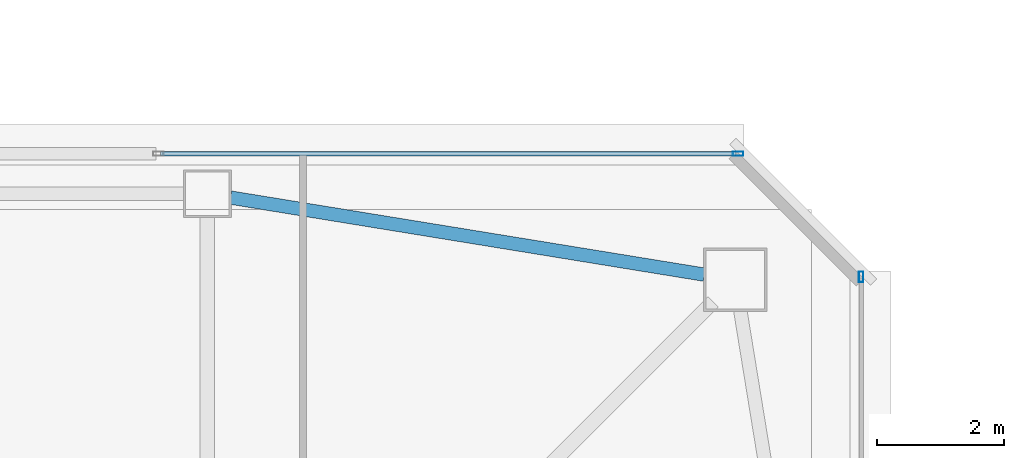
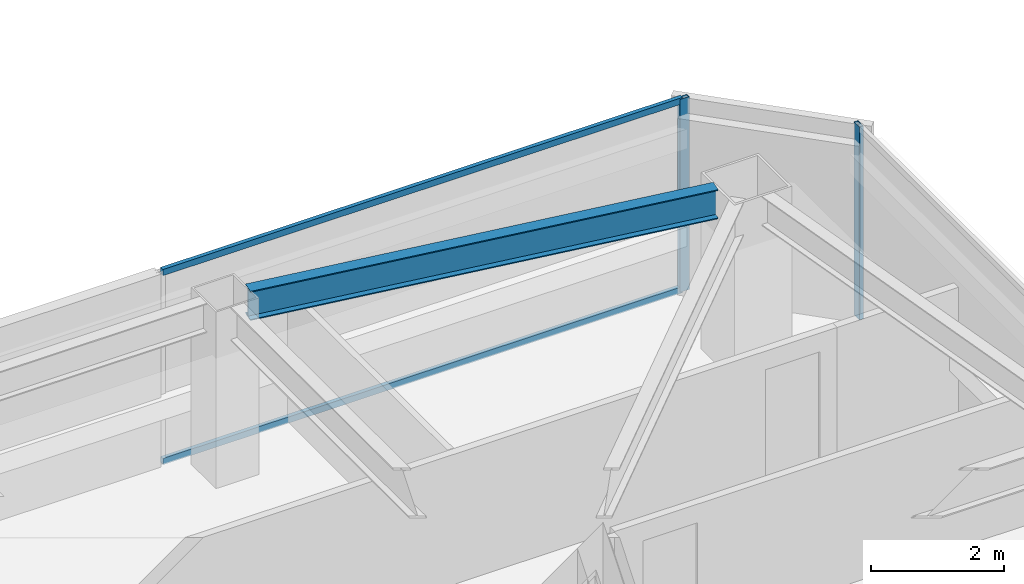
# One storey, part 15 of 39: 4 members, 1 beam, 2 elements without a shape of their own.
"""IFC4 building model written with IfcOpenShell, lengths in metres."""

from ifc_helpers import new_model, si_unit, direction, frame, origin, origin_2d, place, context, subcontext, project, spatial, hollow_rectangle, i_section, extrude, material, material_profile, profile_set, type_object, element, aggregate, save


model = new_model("IFC4")

# Units and contexts
model_context = context("Model", 3, precision=1e-05, world=origin(), true_north=direction((0.0, 1.0)))
body_context = subcontext(model_context, "Body", "Model", "MODEL_VIEW")
ifc_project = project(units=[si_unit("LENGTHUNIT", "METRE"), si_unit("AREAUNIT", "SQUARE_METRE"), si_unit("VOLUMEUNIT", "CUBIC_METRE"), si_unit("PLANEANGLEUNIT", "RADIAN"), si_unit("MASSUNIT", "GRAM", prefix="KILO")], contexts=[model_context])

# Site, building, storey
site_placement = place(None, origin())
site = spatial("IfcSite", under=ifc_project, at=site_placement, CompositionType="ELEMENT")
building_placement = place(site_placement, origin())
building = spatial("IfcBuilding", under=site, at=building_placement, Name="Tashvorn Skyway Center", CompositionType="ELEMENT")
storey_placement = place(building_placement, frame((0.0, 0.0, 243.25)))
storey = spatial("IfcBuildingStorey", under=building, at=storey_placement, Name="L66", CompositionType="ELEMENT", Elevation=243.25)

# Beam
ifc_material_1 = material(Name="Steel ASTM A992 Grade 50", Category="steel")
ifc_material_profile_1 = material_profile(ifc_material_1, i_section(OverallWidth=0.2109375, OverallDepth=0.5390625, WebThickness=0.01171875, FlangeThickness=0.018798828125, at=origin_2d()), Name="W21X73")
ifc_profile_set_1 = profile_set([ifc_material_profile_1], Name="Steel ASTM A992 Grade 50")
beam_type = type_object("IfcBeamType", Name="BM-SPANDREL-W21X73", PredefinedType="SPANDREL", material=ifc_profile_set_1)
beam_placement = place(storey_placement, frame((55.21142578125, 45.779541015625, 2.98046875), z_axis=(-0.987033514444, 0.160514302677, 0.0), x_axis=(-0.160514302677, -0.987033514444, 0.0)))
element("IfcBeam", 1, at=beam_placement, inside=storey, type_object=beam_type, Name="Tower 1 L66 Spandrel Beam 07", PredefinedType="SPANDREL", context=body_context, shape_type="SweptSolid", body=[
    extrude(i_section(OverallWidth=0.2109375, OverallDepth=0.5390625, WebThickness=0.01171875, FlangeThickness=0.018798828125, at=origin_2d()), origin(), (0.0, 0.0, 1.0), 7.544189453125),
])

# Curtain wall, member
ifc_material_2 = material(Name="Thermally broken bronze-anodized aluminium 6063-T6", Category="aluminium")
curtain_wall_type = type_object("IfcCurtainWallType", Name="CW-CW-Z5", PredefinedType="NOTDEFINED", material=ifc_material_2)
curtain_wall_1_placement = place(storey_placement, origin())
curtain_wall_1 = element("IfcCurtainWall", 2, at=curtain_wall_1_placement, inside=storey, type_object=curtain_wall_type, Name="Tower 1 L66 North Unitised Curtain Wall Glazing Group 2", PredefinedType="NOTDEFINED")
ifc_material_profile_2 = material_profile(ifc_material_2, hollow_rectangle(XDim=0.070068359375, YDim=0.1650390625, WallThickness=0.00390625, at=origin_2d()), Name="ALU-MULL-70x165")
ifc_profile_set_2 = profile_set([ifc_material_profile_2], Name="Thermally broken bronze-anodized aluminium 6063-T6")
member_type_1 = type_object("IfcMemberType", Name="CWM-CW-Z5", PredefinedType="MULLION", material=ifc_profile_set_2)
member_1_placement = place(storey_placement, frame((55.7451171875, 47.679931640625, 0.0), z_axis=(0.0, 0.0, 1.0), x_axis=(0.0, 1.0, 0.0)))
member_1 = element("IfcMember", 3, at=member_1_placement, type_object=member_type_1, Name="CW-Z5 mullion 2", PredefinedType="MULLION", context=body_context, shape_type="SweptSolid", body=[
    extrude(hollow_rectangle(XDim=0.070068359375, YDim=0.1650390625, WallThickness=0.00390625, at=origin_2d()), origin(), (0.0, 0.0, 1.0), 3.550048828125),
])

curtain_wall_2_placement = place(storey_placement, origin())
curtain_wall_2 = element("IfcCurtainWall", 4, at=curtain_wall_2_placement, inside=storey, type_object=curtain_wall_type, Name="Tower 1 L66 East Unitised Curtain Wall Glazing Group 1", PredefinedType="NOTDEFINED")
member_2_placement = place(storey_placement, frame((57.679931640625, 45.7451171875, 0.0), z_axis=(0.0, 0.0, 1.0), x_axis=(1.0, 0.0, 0.0)))
member_2 = element("IfcMember", 5, at=member_2_placement, type_object=member_type_1, Name="CW-Z5 mullion 1", PredefinedType="MULLION", context=body_context, shape_type="SweptSolid", body=[
    extrude(hollow_rectangle(XDim=0.070068359375, YDim=0.1650390625, WallThickness=0.00390625, at=origin_2d()), origin(), (0.0, 0.0, 1.0), 3.550048828125),
])
aggregate(curtain_wall_2, [member_2])

# Member
ifc_material_profile_3 = material_profile(ifc_material_2, hollow_rectangle(XDim=0.070068359375, YDim=0.114990234375, WallThickness=0.00390625, at=origin_2d()), Name="ALU-TRAN-70x115")
ifc_profile_set_3 = profile_set([ifc_material_profile_3], Name="Thermally broken bronze-anodized aluminium 6063-T6")
member_type_2 = type_object("IfcMemberType", Name="CWT-CW-Z5", PredefinedType="USERDEFINED", material=ifc_profile_set_3)
member_3_placement = place(storey_placement, frame((46.663330078125, 47.679931640625, 0.034912109375), z_axis=(1.0, 0.0, 0.0), x_axis=(0.0, 1.0, 0.0)))
member_3 = element("IfcMember", 6, at=member_3_placement, type_object=member_type_2, Name="CW-Z5 transom 1.1", ObjectType="TRANSOM", PredefinedType="USERDEFINED", context=body_context, shape_type="SweptSolid", body=[
    extrude(hollow_rectangle(XDim=0.070068359375, YDim=0.114990234375, WallThickness=0.00390625, at=origin_2d()), origin(), (0.0, 0.0, 1.0), 9.046630859375),
])

member_4_placement = place(storey_placement, frame((46.663330078125, 47.679931640625, 3.514892578125), z_axis=(1.0, 0.0, 0.0), x_axis=(0.0, 1.0, 0.0)))
member_4 = element("IfcMember", 7, at=member_4_placement, type_object=member_type_2, Name="CW-Z5 transom 1.2", ObjectType="TRANSOM", PredefinedType="USERDEFINED", context=body_context, shape_type="SweptSolid", body=[
    extrude(hollow_rectangle(XDim=0.070068359375, YDim=0.114990234375, WallThickness=0.00390625, at=origin_2d()), origin(), (0.0, 0.0, 1.0), 9.046630859375),
])

aggregate(curtain_wall_1, [member_1, member_3, member_4])

save(model, "model.ifc")
